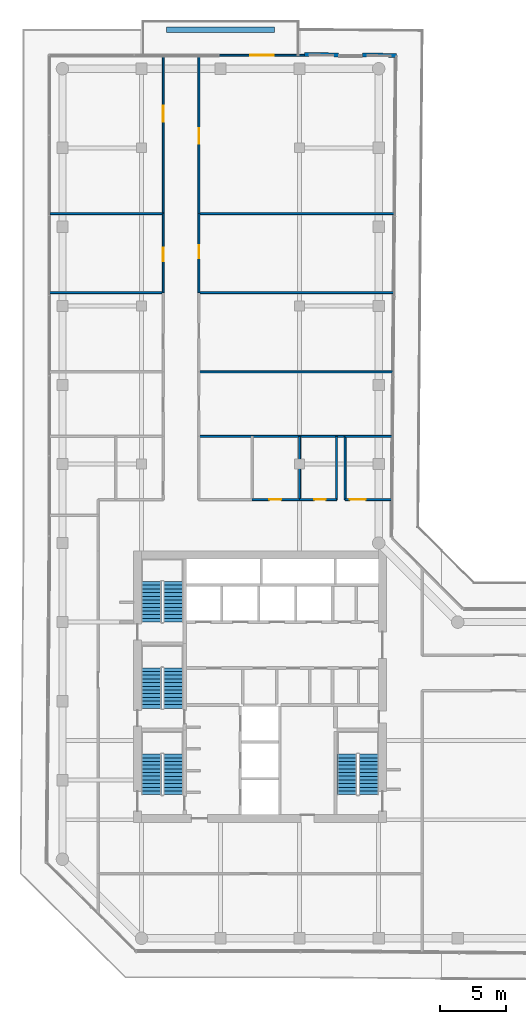
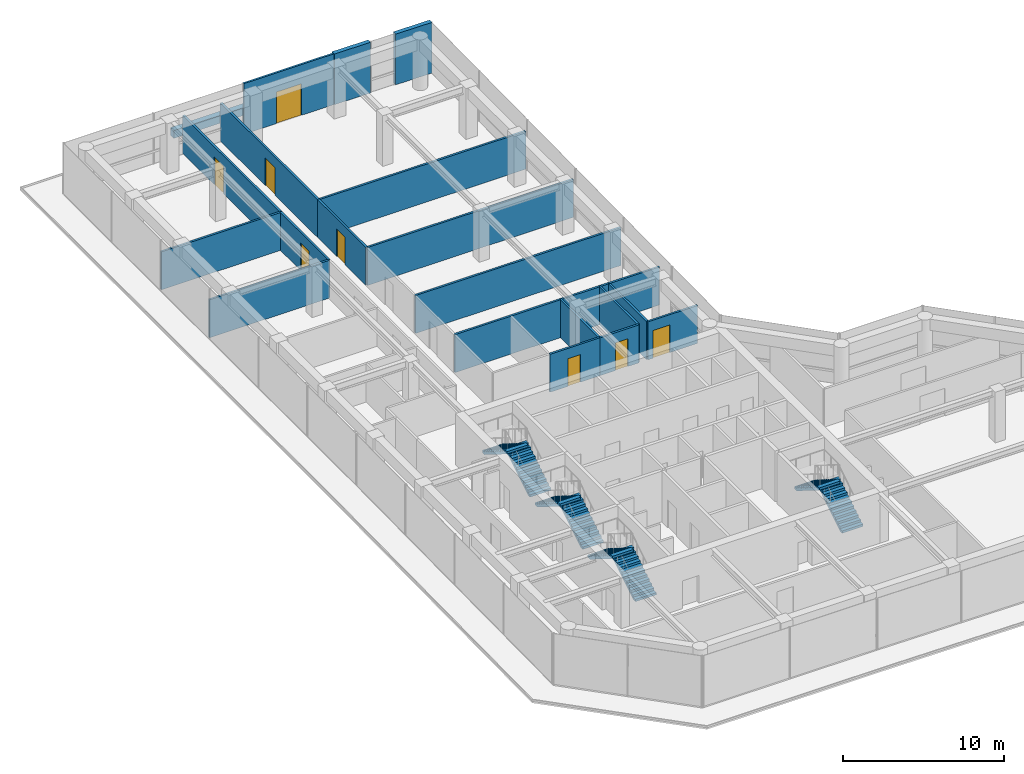
# One storey, part 17 of 19: 21 walls, 8 doors, 8 stair flights, 8 openings, 4 elements without a shape of their own.
"""IFC4 building model written with IfcOpenShell, lengths in metres."""

from ifc_helpers import new_model, si_unit, direction, frame, frame_2d, origin, place, context, subcontext, project, spatial, polyline, rectangle, outline, extrude, material, layer, layer_set, type_object, element, fill, aggregate, save


model = new_model("IFC4")

# Units and contexts
model_context = context("Model", 3, precision=1e-05, world=origin(), true_north=direction((0.0, 1.0)))
body_context = subcontext(model_context, "Body", "Model", "MODEL_VIEW")
ifc_project = project(units=[si_unit("LENGTHUNIT", "METRE"), si_unit("AREAUNIT", "SQUARE_METRE"), si_unit("VOLUMEUNIT", "CUBIC_METRE"), si_unit("PLANEANGLEUNIT", "RADIAN"), si_unit("MASSUNIT", "GRAM", prefix="KILO")], contexts=[model_context])

# Site, building, storey
site_placement = place(None, origin())
site = spatial("IfcSite", under=ifc_project, at=site_placement, CompositionType="ELEMENT")
building_placement = place(site_placement, origin())
building = spatial("IfcBuilding", under=site, at=building_placement, Name="Welwitschia Terrace Campus", CompositionType="ELEMENT")
storey_placement = place(building_placement, frame((0.0, 0.0, 167.60009765625)))
storey = spatial("IfcBuildingStorey", under=building, at=storey_placement, Name="L37", CompositionType="ELEMENT", Elevation=167.60009765625)

# Wall, opening, door
ifc_material_1 = material(Name="Concrete C40/50", Category="concrete")
ifc_layer_1 = layer(ifc_material_1, 0.139892578125)
ifc_layer_set_1 = layer_set([ifc_layer_1], Name="Concrete C40/50")
wall_type_1 = type_object("IfcWallType", Name="Clad wall 140", PredefinedType="SOLIDWALL", material=ifc_layer_set_1)
wall_1_placement = place(storey_placement, frame((18.373779296875, 63.030029296875, 0.0), z_axis=(0.0, 0.0, 1.0), x_axis=(-1.0, 0.0, 0.0)))
wall_1 = element("IfcWall", 1, at=wall_1_placement, inside=storey, type_object=wall_type_1, Name="Clad wall L37.terrace door 0", PredefinedType="SOLIDWALL", context=body_context, shape_type="SweptSolid", body=[
    extrude(rectangle(XDim=6.468017578125, YDim=0.139892578125, at=frame_2d((3.23388671875, 0.0))), origin(), (0.0, 0.0, 1.0), 3.849853515625),
])
opening_1_placement = place(wall_1_placement, frame((2.333984375, 0.0, 0.0)))
opening_1 = element("IfcOpeningElement", 2, at=opening_1_placement, cuts=wall_1, Name="Opening DE3", PredefinedType="OPENING", context=body_context, shape_type="SweptSolid", body=[
    extrude(rectangle(XDim=1.800048828125, YDim=2.39990234375, at=frame_2d((0.89990234375, 1.199951171875))), frame((0.0, 0.079833984375, 0.0), z_axis=(0.0, -1.0, 0.0), x_axis=(1.0, 0.0, 0.0)), (0.0, 0.0, 1.0), 0.159912109375),
])
ifc_material_2 = material(Name="Bronze anodised aluminium and glass", Category="aluminium")
door_type_1 = type_object("IfcDoorType", Name="Terrace door 1800x2400", OperationType="DOUBLE_DOOR_DOUBLE_SWING", PredefinedType="DOOR", material=ifc_material_2)
door_1_placement = place(opening_1_placement, origin())
door_1 = element("IfcDoor", 3, at=door_1_placement, inside=storey, type_object=door_type_1, Name="Door L37:T0", OperationType="DOUBLE_DOOR_DOUBLE_SWING", OverallHeight=2.39990234375, OverallWidth=1.800048828125, PredefinedType="DOOR", context=body_context, shape_type="SweptSolid", body=[
    extrude(rectangle(XDim=1.800048828125, YDim=2.39990234375, at=frame_2d((0.89990234375, 1.199951171875))), frame((0.0, 0.02490234375, 0.0), z_axis=(0.0, -1.0, 0.0), x_axis=(1.0, 0.0, 0.0)), (0.0, 0.0, 1.0), 0.050048828125),
])
fill(opening_1, door_1)

# Walls
ifc_material_3 = material(Name="Gypsum board on steel studs", Category="steel")
ifc_layer_2 = layer(ifc_material_3, 0.14990234375)
ifc_layer_set_2 = layer_set([ifc_layer_2], Name="Gypsum board on steel studs")
wall_type_2 = type_object("IfcWallType", Name="Corridor partition 150 EI 30", PredefinedType="PARTITIONING", material=ifc_layer_set_2)
wall_2_placement = place(storey_placement, frame((-0.97998046875, 45.0, 0.0), z_axis=(0.0, 0.0, 1.0), x_axis=(1.0, 0.0, 0.0)))
element("IfcWall", 4, at=wall_2_placement, inside=storey, type_object=wall_type_2, Name="Partition", PredefinedType="PARTITIONING", context=body_context, shape_type="SweptSolid", body=[
    extrude(rectangle(XDim=8.6298828125, YDim=0.14990234375, at=frame_2d((4.31494140625, 0.0))), origin(), (0.0, 0.0, 1.0), 2.8798828125),
])
wall_3_placement = place(storey_placement, frame((-0.965087890625, 51.0, 0.0), z_axis=(0.0, 0.0, 1.0), x_axis=(1.0, 0.0, 0.0)))
element("IfcWall", 5, at=wall_3_placement, inside=storey, type_object=wall_type_2, Name="Partition", PredefinedType="PARTITIONING", context=body_context, shape_type="SweptSolid", body=[
    extrude(rectangle(XDim=8.614990234375, YDim=0.14990234375, at=frame_2d((4.3076171875, 0.0))), origin(), (0.0, 0.0, 1.0), 2.8798828125),
])

# Wall, opening, door
wall_4_placement = place(storey_placement, frame((7.64990234375, 45.0, 0.0), z_axis=(0.0, 0.0, 1.0), x_axis=(0.0, 1.0, 0.0)))
wall_4 = element("IfcWall", 6, at=wall_4_placement, inside=storey, type_object=wall_type_2, Name="Partition", PredefinedType="PARTITIONING", context=body_context, shape_type="SweptSolid", body=[
    extrude(rectangle(XDim=6.0, YDim=0.14990234375, at=frame_2d((3.0, 0.0))), origin(), (0.0, 0.0, 1.0), 2.8798828125),
])
opening_2_placement = place(wall_4_placement, frame((2.39990234375, 0.0, 0.0)))
opening_2 = element("IfcOpeningElement", 7, at=opening_2_placement, cuts=wall_4, Name="Opening DI10", PredefinedType="OPENING", context=body_context, shape_type="SweptSolid", body=[
    extrude(rectangle(XDim=1.0, YDim=2.10009765625, at=frame_2d((0.5, 1.050048828125))), frame((0.0, 0.0849609375, 0.0), z_axis=(0.0, -1.0, 0.0), x_axis=(1.0, 0.0, 0.0)), (0.0, 0.0, 1.0), 0.169921875),
])
ifc_material_4 = material(Name="Timber veneered door", Category="wood")
door_type_2 = type_object("IfcDoorType", Name="Interior door DI10", OperationType="NOTDEFINED", PredefinedType="DOOR", material=ifc_material_4)
door_2_placement = place(opening_2_placement, origin())
door_2 = element("IfcDoor", 8, at=door_2_placement, inside=storey, type_object=door_type_2, Name="Door L37 746", OperationType="SINGLE_SWING_LEFT", OverallHeight=2.10009765625, OverallWidth=1.0, PredefinedType="DOOR", context=body_context, shape_type="SweptSolid", body=[
    extrude(rectangle(XDim=1.0, YDim=2.10009765625, at=frame_2d((0.5, 1.050048828125))), frame((0.0, 0.02490234375, 0.0), z_axis=(0.0, -1.0, 0.0), x_axis=(1.0, 0.0, 0.0)), (0.0, 0.0, 1.0), 0.050048828125),
])
fill(opening_2, door_2)

wall_5_placement = place(storey_placement, frame((7.64990234375, 51.0, 0.0), z_axis=(0.0, 0.0, 1.0), x_axis=(0.0, 1.0, 0.0)))
wall_5 = element("IfcWall", 9, at=wall_5_placement, inside=storey, type_object=wall_type_2, Name="Partition", PredefinedType="PARTITIONING", context=body_context, shape_type="SweptSolid", body=[
    extrude(rectangle(XDim=12.090087890625, YDim=0.14990234375, at=frame_2d((6.044921875, 0.0))), origin(), (0.0, 0.0, 1.0), 2.8798828125),
])
opening_3_placement = place(wall_5_placement, frame((6.97998046875, 0.0, 0.0)))
opening_3 = element("IfcOpeningElement", 10, at=opening_3_placement, cuts=wall_5, Name="Opening DI12", PredefinedType="OPENING", context=body_context, shape_type="SweptSolid", body=[
    extrude(rectangle(XDim=1.199951171875, YDim=2.10009765625, at=frame_2d((0.60009765625, 1.050048828125))), frame((0.0, 0.0849609375, 0.0), z_axis=(0.0, -1.0, 0.0), x_axis=(1.0, 0.0, 0.0)), (0.0, 0.0, 1.0), 0.169921875),
])
ifc_material_5 = material(Name="Timber veneered door", Category="wood")
door_type_3 = type_object("IfcDoorType", Name="Interior door DI12", OperationType="NOTDEFINED", PredefinedType="DOOR", material=ifc_material_5)
door_3_placement = place(opening_3_placement, origin())
door_3 = element("IfcDoor", 11, at=door_3_placement, inside=storey, type_object=door_type_3, Name="Door L37 747", OperationType="SINGLE_SWING_RIGHT", OverallHeight=2.10009765625, OverallWidth=1.199951171875, PredefinedType="DOOR", context=body_context, shape_type="SweptSolid", body=[
    extrude(rectangle(XDim=1.199951171875, YDim=2.10009765625, at=frame_2d((0.60009765625, 1.050048828125))), frame((0.0, 0.02490234375, 0.0), z_axis=(0.0, -1.0, 0.0), x_axis=(1.0, 0.0, 0.0)), (0.0, 0.0, 1.0), 0.050048828125),
])
fill(opening_3, door_3)

# Walls
wall_6_placement = place(storey_placement, frame((10.35009765625, 34.10009765625, 0.0), z_axis=(0.0, 0.0, 1.0), x_axis=(1.0, 0.0, 0.0)))
element("IfcWall", 12, at=wall_6_placement, inside=storey, type_object=wall_type_2, Name="Partition", PredefinedType="PARTITIONING", context=body_context, shape_type="SweptSolid", body=[
    extrude(rectangle(XDim=11.099853515625, YDim=0.14990234375, at=frame_2d((5.5498046875, 0.0))), origin(), (0.0, 0.0, 1.0), 2.8798828125),
])
wall_7_placement = place(storey_placement, frame((10.35009765625, 39.0, 0.0), z_axis=(0.0, 0.0, 1.0), x_axis=(1.0, 0.0, 0.0)))
element("IfcWall", 13, at=wall_7_placement, inside=storey, type_object=wall_type_2, Name="Partition", PredefinedType="PARTITIONING", context=body_context, shape_type="SweptSolid", body=[
    extrude(rectangle(XDim=14.739990234375, YDim=0.14990234375, at=frame_2d((7.3701171875, 0.0))), origin(), (0.0, 0.0, 1.0), 2.8798828125),
])
wall_8_placement = place(storey_placement, frame((10.35009765625, 45.0, 0.0), z_axis=(0.0, 0.0, 1.0), x_axis=(1.0, 0.0, 0.0)))
element("IfcWall", 14, at=wall_8_placement, inside=storey, type_object=wall_type_2, Name="Partition", PredefinedType="PARTITIONING", context=body_context, shape_type="SweptSolid", body=[
    extrude(rectangle(XDim=14.789794921875, YDim=0.14990234375, at=frame_2d((7.39501953125, 0.0))), origin(), (0.0, 0.0, 1.0), 2.8798828125),
])

# Wall, opening, door
wall_9_placement = place(storey_placement, frame((10.35009765625, 51.0, 0.0), z_axis=(0.0, 0.0, 1.0), x_axis=(0.0, -1.0, 0.0)))
wall_9 = element("IfcWall", 15, at=wall_9_placement, inside=storey, type_object=wall_type_2, Name="Partition", PredefinedType="PARTITIONING", context=body_context, shape_type="SweptSolid", body=[
    extrude(rectangle(XDim=6.0, YDim=0.14990234375, at=frame_2d((3.0, 0.0))), origin(), (0.0, 0.0, 1.0), 2.8798828125),
])
opening_4_placement = place(wall_9_placement, frame((2.39990234375, 0.0, 0.0)))
opening_4 = element("IfcOpeningElement", 16, at=opening_4_placement, cuts=wall_9, Name="Opening DI10", PredefinedType="OPENING", context=body_context, shape_type="SweptSolid", body=[
    extrude(rectangle(XDim=1.0, YDim=2.10009765625, at=frame_2d((0.5, 1.050048828125))), frame((0.0, 0.0849609375, 0.0), z_axis=(0.0, -1.0, 0.0), x_axis=(1.0, 0.0, 0.0)), (0.0, 0.0, 1.0), 0.169921875),
])
door_4_placement = place(opening_4_placement, origin())
door_4 = element("IfcDoor", 17, at=door_4_placement, inside=storey, type_object=door_type_2, Name="Door L37 750", OperationType="SINGLE_SWING_LEFT", OverallHeight=2.10009765625, OverallWidth=1.0, PredefinedType="DOOR", context=body_context, shape_type="SweptSolid", body=[
    extrude(rectangle(XDim=1.0, YDim=2.10009765625, at=frame_2d((0.5, 1.050048828125))), frame((0.0, 0.02490234375, 0.0), z_axis=(0.0, -1.0, 0.0), x_axis=(1.0, 0.0, 0.0)), (0.0, 0.0, 1.0), 0.050048828125),
])
fill(opening_4, door_4)

# Wall
wall_10_placement = place(storey_placement, frame((10.35009765625, 51.0, 0.0), z_axis=(0.0, 0.0, 1.0), x_axis=(1.0, 0.0, 0.0)))
element("IfcWall", 18, at=wall_10_placement, inside=storey, type_object=wall_type_2, Name="Partition", PredefinedType="PARTITIONING", context=body_context, shape_type="SweptSolid", body=[
    extrude(rectangle(XDim=14.83984375, YDim=0.14990234375, at=frame_2d((7.419921875, 0.0))), origin(), (0.0, 0.0, 1.0), 2.8798828125),
])

# Wall, opening, door
wall_11_placement = place(storey_placement, frame((10.35009765625, 63.090087890625, 0.0), z_axis=(0.0, 0.0, 1.0), x_axis=(0.0, -1.0, 0.0)))
wall_11 = element("IfcWall", 19, at=wall_11_placement, inside=storey, type_object=wall_type_2, Name="Partition", PredefinedType="PARTITIONING", context=body_context, shape_type="SweptSolid", body=[
    extrude(rectangle(XDim=12.090087890625, YDim=0.14990234375, at=frame_2d((6.044921875, 0.0))), origin(), (0.0, 0.0, 1.0), 2.8798828125),
])
opening_5_placement = place(wall_11_placement, frame((5.590087890625, 0.0, 0.0)))
opening_5 = element("IfcOpeningElement", 20, at=opening_5_placement, cuts=wall_11, Name="Opening DI12", PredefinedType="OPENING", context=body_context, shape_type="SweptSolid", body=[
    extrude(rectangle(XDim=1.199951171875, YDim=2.10009765625, at=frame_2d((0.60009765625, 1.050048828125))), frame((0.0, 0.0849609375, 0.0), z_axis=(0.0, -1.0, 0.0), x_axis=(1.0, 0.0, 0.0)), (0.0, 0.0, 1.0), 0.169921875),
])
door_5_placement = place(opening_5_placement, origin())
door_5 = element("IfcDoor", 21, at=door_5_placement, inside=storey, type_object=door_type_3, Name="Door L37 751", OperationType="SINGLE_SWING_RIGHT", OverallHeight=2.10009765625, OverallWidth=1.199951171875, PredefinedType="DOOR", context=body_context, shape_type="SweptSolid", body=[
    extrude(rectangle(XDim=1.199951171875, YDim=2.10009765625, at=frame_2d((0.60009765625, 1.050048828125))), frame((0.0, 0.02490234375, 0.0), z_axis=(0.0, -1.0, 0.0), x_axis=(1.0, 0.0, 0.0)), (0.0, 0.0, 1.0), 0.050048828125),
])
fill(opening_5, door_5)

wall_12_placement = place(storey_placement, frame((14.39990234375, 29.300048828125, 0.0), z_axis=(0.0, 0.0, 1.0), x_axis=(1.0, 0.0, 0.0)))
wall_12 = element("IfcWall", 22, at=wall_12_placement, inside=storey, type_object=wall_type_2, Name="Partition", PredefinedType="PARTITIONING", context=body_context, shape_type="SweptSolid", body=[
    extrude(rectangle(XDim=3.60009765625, YDim=0.14990234375, at=frame_2d((1.800048828125, 0.0))), origin(), (0.0, 0.0, 1.0), 2.8798828125),
])
opening_6_placement = place(wall_12_placement, frame((1.300048828125, 0.0, 0.0)))
opening_6 = element("IfcOpeningElement", 23, at=opening_6_placement, cuts=wall_12, Name="Opening DI09", PredefinedType="OPENING", context=body_context, shape_type="SweptSolid", body=[
    extrude(rectangle(XDim=0.89990234375, YDim=2.10009765625, at=frame_2d((0.449951171875, 1.050048828125))), frame((0.0, 0.0849609375, 0.0), z_axis=(0.0, -1.0, 0.0), x_axis=(1.0, 0.0, 0.0)), (0.0, 0.0, 1.0), 0.169921875),
])
ifc_material_6 = material(Name="Timber veneered door", Category="wood")
door_type_4 = type_object("IfcDoorType", Name="Interior door DI09", OperationType="NOTDEFINED", PredefinedType="DOOR", material=ifc_material_6)
door_6_placement = place(opening_6_placement, origin())
door_6 = element("IfcDoor", 24, at=door_6_placement, inside=storey, type_object=door_type_4, Name="Door L37 752", OperationType="SINGLE_SWING_LEFT", OverallHeight=2.10009765625, OverallWidth=0.89990234375, PredefinedType="DOOR", context=body_context, shape_type="SweptSolid", body=[
    extrude(rectangle(XDim=0.89990234375, YDim=2.10009765625, at=frame_2d((0.449951171875, 1.050048828125))), frame((0.0, 0.02490234375, 0.0), z_axis=(0.0, -1.0, 0.0), x_axis=(1.0, 0.0, 0.0)), (0.0, 0.0, 1.0), 0.050048828125),
])
fill(opening_6, door_6)

# Wall
wall_13_placement = place(storey_placement, frame((18.0, 29.300048828125, 0.0), z_axis=(0.0, 0.0, 1.0), x_axis=(0.0, 1.0, 0.0)))
element("IfcWall", 25, at=wall_13_placement, inside=storey, type_object=wall_type_2, Name="Partition", PredefinedType="PARTITIONING", context=body_context, shape_type="SweptSolid", body=[
    extrude(rectangle(XDim=4.800048828125, YDim=0.14990234375, at=frame_2d((2.39990234375, 0.0))), origin(), (0.0, 0.0, 1.0), 2.8798828125),
])

# Wall, opening, door
wall_14_placement = place(storey_placement, frame((18.0, 29.300048828125, 0.0), z_axis=(0.0, 0.0, 1.0), x_axis=(1.0, 0.0, 0.0)))
wall_14 = element("IfcWall", 26, at=wall_14_placement, inside=storey, type_object=wall_type_2, Name="Partition", PredefinedType="PARTITIONING", context=body_context, shape_type="SweptSolid", body=[
    extrude(rectangle(XDim=2.800048828125, YDim=0.14990234375, at=frame_2d((1.39990234375, 0.0))), origin(), (0.0, 0.0, 1.0), 2.8798828125),
])
opening_7_placement = place(wall_14_placement, frame((1.10009765625, 0.0, 0.0)))
opening_7 = element("IfcOpeningElement", 27, at=opening_7_placement, cuts=wall_14, Name="Opening DI09", PredefinedType="OPENING", context=body_context, shape_type="SweptSolid", body=[
    extrude(rectangle(XDim=0.89990234375, YDim=2.10009765625, at=frame_2d((0.449951171875, 1.050048828125))), frame((0.0, 0.0849609375, 0.0), z_axis=(0.0, -1.0, 0.0), x_axis=(1.0, 0.0, 0.0)), (0.0, 0.0, 1.0), 0.169921875),
])
door_7_placement = place(opening_7_placement, origin())
door_7 = element("IfcDoor", 28, at=door_7_placement, inside=storey, type_object=door_type_4, Name="Door L37 753", OperationType="SINGLE_SWING_RIGHT", OverallHeight=2.10009765625, OverallWidth=0.89990234375, PredefinedType="DOOR", context=body_context, shape_type="SweptSolid", body=[
    extrude(rectangle(XDim=0.89990234375, YDim=2.10009765625, at=frame_2d((0.449951171875, 1.050048828125))), frame((0.0, 0.02490234375, 0.0), z_axis=(0.0, -1.0, 0.0), x_axis=(1.0, 0.0, 0.0)), (0.0, 0.0, 1.0), 0.050048828125),
])
fill(opening_7, door_7)

# Walls
for number, where, z_axis, x_axis, name in (
    (29, (20.800048828125, 29.300048828125, 0.0), (0.0, 0.0, 1.0), (0.0, 1.0, 0.0), "Partition"),
    (30, (21.449951171875, 29.300048828125, 0.0), (0.0, 0.0, 1.0), (0.0, 1.0, 0.0), "Partition"),
):
    element("IfcWall", number, at=place(storey_placement, frame(where, z_axis=z_axis, x_axis=x_axis)), inside=storey, type_object=wall_type_2, Name=name, PredefinedType="PARTITIONING", context=body_context, shape_type="SweptSolid", body=[
        extrude(rectangle(XDim=4.800048828125, YDim=0.14990234375, at=frame_2d((2.39990234375, 0.0))), origin(), (0.0, 0.0, 1.0), 2.8798828125),
    ])

# Wall, opening, door
wall_15_placement = place(storey_placement, frame((21.449951171875, 29.300048828125, 0.0), z_axis=(0.0, 0.0, 1.0), x_axis=(1.0, 0.0, 0.0)))
wall_15 = element("IfcWall", 31, at=wall_15_placement, inside=storey, type_object=wall_type_2, Name="Partition", PredefinedType="PARTITIONING", context=body_context, shape_type="SweptSolid", body=[
    extrude(rectangle(XDim=3.56005859375, YDim=0.14990234375, at=frame_2d((1.780029296875, 0.0))), origin(), (0.0, 0.0, 1.0), 2.8798828125),
])
opening_8_placement = place(wall_15_placement, frame((0.360107421875, 0.0, 0.0)))
opening_8 = element("IfcOpeningElement", 32, at=opening_8_placement, cuts=wall_15, Name="Opening DX12", PredefinedType="OPENING", context=body_context, shape_type="SweptSolid", body=[
    extrude(rectangle(XDim=1.199951171875, YDim=2.10009765625, at=frame_2d((0.60009765625, 1.050048828125))), frame((0.0, 0.0849609375, 0.0), z_axis=(0.0, -1.0, 0.0), x_axis=(1.0, 0.0, 0.0)), (0.0, 0.0, 1.0), 0.169921875),
])
ifc_material_7 = material(Name="Timber veneered door", Category="wood")
door_type_5 = type_object("IfcDoorType", Name="Interior door DX12", OperationType="NOTDEFINED", PredefinedType="DOOR", material=ifc_material_7)
door_8_placement = place(opening_8_placement, origin())
door_8 = element("IfcDoor", 33, at=door_8_placement, inside=storey, type_object=door_type_5, Name="Door L37 754", OperationType="SINGLE_SWING_LEFT", OverallHeight=2.10009765625, OverallWidth=1.199951171875, PredefinedType="DOOR", context=body_context, shape_type="SweptSolid", body=[
    extrude(rectangle(XDim=1.199951171875, YDim=2.10009765625, at=frame_2d((0.60009765625, 1.050048828125))), frame((0.0, 0.02490234375, 0.0), z_axis=(0.0, -1.0, 0.0), x_axis=(1.0, 0.0, 0.0)), (0.0, 0.0, 1.0), 0.050048828125),
])
fill(opening_8, door_8)

# Walls
wall_16_placement = place(storey_placement, frame((21.449951171875, 34.10009765625, 0.0), z_axis=(0.0, 0.0, 1.0), x_axis=(1.0, 0.0, 0.0)))
element("IfcWall", 34, at=wall_16_placement, inside=storey, type_object=wall_type_2, Name="Partition", PredefinedType="PARTITIONING", context=body_context, shape_type="SweptSolid", body=[
    extrude(rectangle(XDim=3.60009765625, YDim=0.14990234375, at=frame_2d((1.800048828125, 0.0))), origin(), (0.0, 0.0, 1.0), 2.8798828125),
])
ifc_material_8 = material(Name="Concrete C40/50", Category="concrete")
ifc_layer_3 = layer(ifc_material_8, 0.300048828125)
ifc_layer_set_3 = layer_set([ifc_layer_3], Name="Concrete C40/50")
wall_type_3 = type_object("IfcWallType", Name="Mass wall 300", PredefinedType="SOLIDWALL", material=ifc_layer_set_3)
for number, where, z_axis, x_axis, name in (
    (35, (25.349365234375, 63.017333984375, 0.0), (0.0, 0.0, 1.0), (-0.999962330372, 0.008679737182, 0.0), "Mass wall L37.12.0"),
    (36, (20.9619140625, 63.057373046875, 0.0), (0.0, 0.0, 1.0), (-0.999961507064, 0.008774074928, 0.0), "Mass wall L37.12.1"),
):
    element("IfcWall", number, at=place(storey_placement, frame(where, z_axis=z_axis, x_axis=x_axis)), inside=storey, type_object=wall_type_3, Name=name, PredefinedType="SOLIDWALL", context=body_context, shape_type="SweptSolid", body=[
        extrude(rectangle(XDim=2.587646484375, YDim=0.300048828125, at=frame_2d((1.2939453125, 0.0))), origin(), (0.0, 0.0, 1.0), 3.849853515625),
    ])
ifc_material_9 = material(Name="Concrete C40/50", Category="concrete")
ifc_layer_4 = layer(ifc_material_9, 0.39990234375)
ifc_layer_set_4 = layer_set([ifc_layer_4], Name="Concrete C40/50")
wall_type_4 = type_object("IfcWallType", Name="Planter wall 400", PredefinedType="SOLIDWALL", material=ifc_layer_set_4)
wall_17_placement = place(storey_placement, frame((7.89990234375, 64.949951171875, 0.0), z_axis=(0.0, 0.0, 1.0), x_axis=(1.0, 0.0, 0.0)))
element("IfcWall", 37, at=wall_17_placement, inside=storey, type_object=wall_type_4, Name="PLANTER", PredefinedType="SOLIDWALL", context=body_context, shape_type="SweptSolid", body=[
    extrude(rectangle(XDim=8.2001953125, YDim=0.39990234375, at=frame_2d((4.10009765625, 0.0))), origin(), (0.0, 0.0, 1.0), 0.599853515625),
])

# Stair, stair flights
ifc_material_10 = material(Name="Concrete C40/50", Category="concrete")
stair_type = type_object("IfcStairType", Name="Stair 24R 175 W1500", PredefinedType="HALF_TURN_STAIR", material=ifc_material_10)
stair_1_placement = place(storey_placement, origin())
stair_1 = element("IfcStair", 38, at=stair_1_placement, inside=storey, type_object=stair_type, Name="L37 Exit stair S1", PredefinedType="HALF_TURN_STAIR")
ifc_material_11 = material(Name="Concrete C40/50", Category="concrete")
stair_flight_type = type_object("IfcStairFlightType", Name="Stair flight 24R 175 W1500", PredefinedType="STRAIGHT", material=ifc_material_11)
stair_flight_1_placement = place(storey_placement, frame((8.39990234375, 6.89990234375, 0.0), z_axis=(0.0, 0.0, 1.0), x_axis=(0.0, 1.0, 0.0)))
stair_flight_1 = element("IfcStairFlight", 39, at=stair_flight_1_placement, type_object=stair_flight_type, Name="S1 flight 1", NumberOfRisers=12, NumberOfTreads=11, PredefinedType="STRAIGHT", RiserHeight=0.175, TreadLength=0.28, context=body_context, shape_type="SweptSolid", body=[
    extrude(outline(polyline([(0.0, 0.0), (0.0, 0.175048828125), (0.280029296875, 0.175048828125), (0.280029296875, 0.35009765625), (0.56005859375, 0.35009765625), (0.56005859375, 0.52490234375), (0.840087890625, 0.52490234375), (0.840087890625, 0.699951171875), (1.1201171875, 0.699951171875), (1.1201171875, 0.875), (1.39990234375, 0.875), (1.39990234375, 1.050048828125), (1.679931640625, 1.050048828125), (1.679931640625, 1.22509765625), (1.9599609375, 1.22509765625), (1.9599609375, 1.39990234375), (2.239990234375, 1.39990234375), (2.239990234375, 1.574951171875), (2.52001953125, 1.574951171875), (2.52001953125, 1.75), (2.800048828125, 1.75), (2.800048828125, 1.925048828125), (3.080078125, 1.925048828125), (3.080078125, 2.10009765625), (3.080078125, 1.748291015625), (0.28271484375, 0.0), (0.0, 0.0)])), frame((0.0, 0.75, 0.0), z_axis=(0.0, -1.0, 0.0), x_axis=(1.0, 0.0, 0.0)), (0.0, 0.0, 1.0), 1.5),
])
stair_flight_2_placement = place(storey_placement, frame((6.75, 9.97998046875, 2.099853515625), z_axis=(0.0, 0.0, 1.0), x_axis=(0.0, -1.0, 0.0)))
stair_flight_2 = element("IfcStairFlight", 40, at=stair_flight_2_placement, type_object=stair_flight_type, Name="S1 flight 2", NumberOfRisers=12, NumberOfTreads=11, PredefinedType="STRAIGHT", RiserHeight=0.175, TreadLength=0.28, context=body_context, shape_type="SweptSolid", body=[
    extrude(outline(polyline([(0.0, 0.0), (0.0, 0.175048828125), (0.280029296875, 0.175048828125), (0.280029296875, 0.35009765625), (0.56005859375, 0.35009765625), (0.56005859375, 0.52490234375), (0.840087890625, 0.52490234375), (0.840087890625, 0.699951171875), (1.1201171875, 0.699951171875), (1.1201171875, 0.875), (1.39990234375, 0.875), (1.39990234375, 1.050048828125), (1.679931640625, 1.050048828125), (1.679931640625, 1.22509765625), (1.9599609375, 1.22509765625), (1.9599609375, 1.39990234375), (2.239990234375, 1.39990234375), (2.239990234375, 1.574951171875), (2.52001953125, 1.574951171875), (2.52001953125, 1.75), (2.800048828125, 1.75), (2.800048828125, 1.925048828125), (3.080078125, 1.925048828125), (3.080078125, 2.10009765625), (3.080078125, 1.748291015625), (0.28271484375, 0.0), (0.0, 0.0)])), frame((0.0, 0.75, 0.0), z_axis=(0.0, -1.0, 0.0), x_axis=(1.0, 0.0, 0.0)), (0.0, 0.0, 1.0), 1.5),
])
aggregate(stair_1, [stair_flight_1, stair_flight_2])

stair_2_placement = place(storey_placement, origin())
stair_2 = element("IfcStair", 41, at=stair_2_placement, inside=storey, type_object=stair_type, Name="L37 Exit stair S3", PredefinedType="HALF_TURN_STAIR")
stair_flight_3_placement = place(storey_placement, frame((8.39990234375, 13.449951171875, 0.0), z_axis=(0.0, 0.0, 1.0), x_axis=(0.0, 1.0, 0.0)))
stair_flight_3 = element("IfcStairFlight", 42, at=stair_flight_3_placement, type_object=stair_flight_type, Name="S3 flight 1", NumberOfRisers=12, NumberOfTreads=11, PredefinedType="STRAIGHT", RiserHeight=0.175, TreadLength=0.28, context=body_context, shape_type="SweptSolid", body=[
    extrude(outline(polyline([(0.0, 0.0), (0.0, 0.175048828125), (0.280029296875, 0.175048828125), (0.280029296875, 0.35009765625), (0.56005859375, 0.35009765625), (0.56005859375, 0.52490234375), (0.840087890625, 0.52490234375), (0.840087890625, 0.699951171875), (1.1201171875, 0.699951171875), (1.1201171875, 0.875), (1.39990234375, 0.875), (1.39990234375, 1.050048828125), (1.679931640625, 1.050048828125), (1.679931640625, 1.22509765625), (1.9599609375, 1.22509765625), (1.9599609375, 1.39990234375), (2.239990234375, 1.39990234375), (2.239990234375, 1.574951171875), (2.52001953125, 1.574951171875), (2.52001953125, 1.75), (2.800048828125, 1.75), (2.800048828125, 1.925048828125), (3.080078125, 1.925048828125), (3.080078125, 2.10009765625), (3.080078125, 1.748291015625), (0.28271484375, 0.0), (0.0, 0.0)])), frame((0.0, 0.75, 0.0), z_axis=(0.0, -1.0, 0.0), x_axis=(1.0, 0.0, 0.0)), (0.0, 0.0, 1.0), 1.5),
])
stair_flight_4_placement = place(storey_placement, frame((6.75, 16.530029296875, 2.099853515625), z_axis=(0.0, 0.0, 1.0), x_axis=(0.0, -1.0, 0.0)))
stair_flight_4 = element("IfcStairFlight", 43, at=stair_flight_4_placement, type_object=stair_flight_type, Name="S3 flight 2", NumberOfRisers=12, NumberOfTreads=11, PredefinedType="STRAIGHT", RiserHeight=0.175, TreadLength=0.28, context=body_context, shape_type="SweptSolid", body=[
    extrude(outline(polyline([(0.0, 0.0), (0.0, 0.175048828125), (0.280029296875, 0.175048828125), (0.280029296875, 0.35009765625), (0.56005859375, 0.35009765625), (0.56005859375, 0.52490234375), (0.840087890625, 0.52490234375), (0.840087890625, 0.699951171875), (1.1201171875, 0.699951171875), (1.1201171875, 0.875), (1.39990234375, 0.875), (1.39990234375, 1.050048828125), (1.679931640625, 1.050048828125), (1.679931640625, 1.22509765625), (1.9599609375, 1.22509765625), (1.9599609375, 1.39990234375), (2.239990234375, 1.39990234375), (2.239990234375, 1.574951171875), (2.52001953125, 1.574951171875), (2.52001953125, 1.75), (2.800048828125, 1.75), (2.800048828125, 1.925048828125), (3.080078125, 1.925048828125), (3.080078125, 2.10009765625), (3.080078125, 1.748291015625), (0.28271484375, 0.0), (0.0, 0.0)])), frame((0.0, 0.75, 0.0), z_axis=(0.0, -1.0, 0.0), x_axis=(1.0, 0.0, 0.0)), (0.0, 0.0, 1.0), 1.5),
])
aggregate(stair_2, [stair_flight_3, stair_flight_4])

stair_3_placement = place(storey_placement, origin())
stair_3 = element("IfcStair", 44, at=stair_3_placement, inside=storey, type_object=stair_type, Name="L37 Exit stair S4", PredefinedType="HALF_TURN_STAIR")
stair_flight_5_placement = place(storey_placement, frame((8.39990234375, 20.0, 0.0), z_axis=(0.0, 0.0, 1.0), x_axis=(0.0, 1.0, 0.0)))
stair_flight_5 = element("IfcStairFlight", 45, at=stair_flight_5_placement, type_object=stair_flight_type, Name="S4 flight 1", NumberOfRisers=12, NumberOfTreads=11, PredefinedType="STRAIGHT", RiserHeight=0.175, TreadLength=0.28, context=body_context, shape_type="SweptSolid", body=[
    extrude(outline(polyline([(0.0, 0.0), (0.0, 0.175048828125), (0.280029296875, 0.175048828125), (0.280029296875, 0.35009765625), (0.56005859375, 0.35009765625), (0.56005859375, 0.52490234375), (0.840087890625, 0.52490234375), (0.840087890625, 0.699951171875), (1.1201171875, 0.699951171875), (1.1201171875, 0.875), (1.39990234375, 0.875), (1.39990234375, 1.050048828125), (1.679931640625, 1.050048828125), (1.679931640625, 1.22509765625), (1.9599609375, 1.22509765625), (1.9599609375, 1.39990234375), (2.239990234375, 1.39990234375), (2.239990234375, 1.574951171875), (2.52001953125, 1.574951171875), (2.52001953125, 1.75), (2.800048828125, 1.75), (2.800048828125, 1.925048828125), (3.080078125, 1.925048828125), (3.080078125, 2.10009765625), (3.080078125, 1.748291015625), (0.28271484375, 0.0), (0.0, 0.0)])), frame((0.0, 0.75, 0.0), z_axis=(0.0, -1.0, 0.0), x_axis=(1.0, 0.0, 0.0)), (0.0, 0.0, 1.0), 1.5),
])
stair_flight_6_placement = place(storey_placement, frame((6.75, 23.080078125, 2.099853515625), z_axis=(0.0, 0.0, 1.0), x_axis=(0.0, -1.0, 0.0)))
stair_flight_6 = element("IfcStairFlight", 46, at=stair_flight_6_placement, type_object=stair_flight_type, Name="S4 flight 2", NumberOfRisers=12, NumberOfTreads=11, PredefinedType="STRAIGHT", RiserHeight=0.175, TreadLength=0.28, context=body_context, shape_type="SweptSolid", body=[
    extrude(outline(polyline([(0.0, 0.0), (0.0, 0.175048828125), (0.280029296875, 0.175048828125), (0.280029296875, 0.35009765625), (0.56005859375, 0.35009765625), (0.56005859375, 0.52490234375), (0.840087890625, 0.52490234375), (0.840087890625, 0.699951171875), (1.1201171875, 0.699951171875), (1.1201171875, 0.875), (1.39990234375, 0.875), (1.39990234375, 1.050048828125), (1.679931640625, 1.050048828125), (1.679931640625, 1.22509765625), (1.9599609375, 1.22509765625), (1.9599609375, 1.39990234375), (2.239990234375, 1.39990234375), (2.239990234375, 1.574951171875), (2.52001953125, 1.574951171875), (2.52001953125, 1.75), (2.800048828125, 1.75), (2.800048828125, 1.925048828125), (3.080078125, 1.925048828125), (3.080078125, 2.10009765625), (3.080078125, 1.748291015625), (0.28271484375, 0.0), (0.0, 0.0)])), frame((0.0, 0.75, 0.0), z_axis=(0.0, -1.0, 0.0), x_axis=(1.0, 0.0, 0.0)), (0.0, 0.0, 1.0), 1.5),
])
aggregate(stair_3, [stair_flight_5, stair_flight_6])

stair_4_placement = place(storey_placement, origin())
stair_4 = element("IfcStair", 47, at=stair_4_placement, inside=storey, type_object=stair_type, Name="L37 Exit stair S2", PredefinedType="HALF_TURN_STAIR")
stair_flight_7_placement = place(storey_placement, frame((23.25, 6.89990234375, 0.0), z_axis=(0.0, 0.0, 1.0), x_axis=(0.0, 1.0, 0.0)))
stair_flight_7 = element("IfcStairFlight", 48, at=stair_flight_7_placement, type_object=stair_flight_type, Name="S2 flight 1", NumberOfRisers=12, NumberOfTreads=11, PredefinedType="STRAIGHT", RiserHeight=0.175, TreadLength=0.28, context=body_context, shape_type="SweptSolid", body=[
    extrude(outline(polyline([(0.0, 0.0), (0.0, 0.175048828125), (0.280029296875, 0.175048828125), (0.280029296875, 0.35009765625), (0.56005859375, 0.35009765625), (0.56005859375, 0.52490234375), (0.840087890625, 0.52490234375), (0.840087890625, 0.699951171875), (1.1201171875, 0.699951171875), (1.1201171875, 0.875), (1.39990234375, 0.875), (1.39990234375, 1.050048828125), (1.679931640625, 1.050048828125), (1.679931640625, 1.22509765625), (1.9599609375, 1.22509765625), (1.9599609375, 1.39990234375), (2.239990234375, 1.39990234375), (2.239990234375, 1.574951171875), (2.52001953125, 1.574951171875), (2.52001953125, 1.75), (2.800048828125, 1.75), (2.800048828125, 1.925048828125), (3.080078125, 1.925048828125), (3.080078125, 2.10009765625), (3.080078125, 1.748291015625), (0.28271484375, 0.0), (0.0, 0.0)])), frame((0.0, 0.75, 0.0), z_axis=(0.0, -1.0, 0.0), x_axis=(1.0, 0.0, 0.0)), (0.0, 0.0, 1.0), 1.5),
])
stair_flight_8_placement = place(storey_placement, frame((21.60009765625, 9.97998046875, 2.099853515625), z_axis=(0.0, 0.0, 1.0), x_axis=(0.0, -1.0, 0.0)))
stair_flight_8 = element("IfcStairFlight", 49, at=stair_flight_8_placement, type_object=stair_flight_type, Name="S2 flight 2", NumberOfRisers=12, NumberOfTreads=11, PredefinedType="STRAIGHT", RiserHeight=0.175, TreadLength=0.28, context=body_context, shape_type="SweptSolid", body=[
    extrude(outline(polyline([(0.0, 0.0), (0.0, 0.175048828125), (0.280029296875, 0.175048828125), (0.280029296875, 0.35009765625), (0.56005859375, 0.35009765625), (0.56005859375, 0.52490234375), (0.840087890625, 0.52490234375), (0.840087890625, 0.699951171875), (1.1201171875, 0.699951171875), (1.1201171875, 0.875), (1.39990234375, 0.875), (1.39990234375, 1.050048828125), (1.679931640625, 1.050048828125), (1.679931640625, 1.22509765625), (1.9599609375, 1.22509765625), (1.9599609375, 1.39990234375), (2.239990234375, 1.39990234375), (2.239990234375, 1.574951171875), (2.52001953125, 1.574951171875), (2.52001953125, 1.75), (2.800048828125, 1.75), (2.800048828125, 1.925048828125), (3.080078125, 1.925048828125), (3.080078125, 2.10009765625), (3.080078125, 1.748291015625), (0.28271484375, 0.0), (0.0, 0.0)])), frame((0.0, 0.75, 0.0), z_axis=(0.0, -1.0, 0.0), x_axis=(1.0, 0.0, 0.0)), (0.0, 0.0, 1.0), 1.5),
])
aggregate(stair_4, [stair_flight_7, stair_flight_8])

save(model, "model.ifc")
